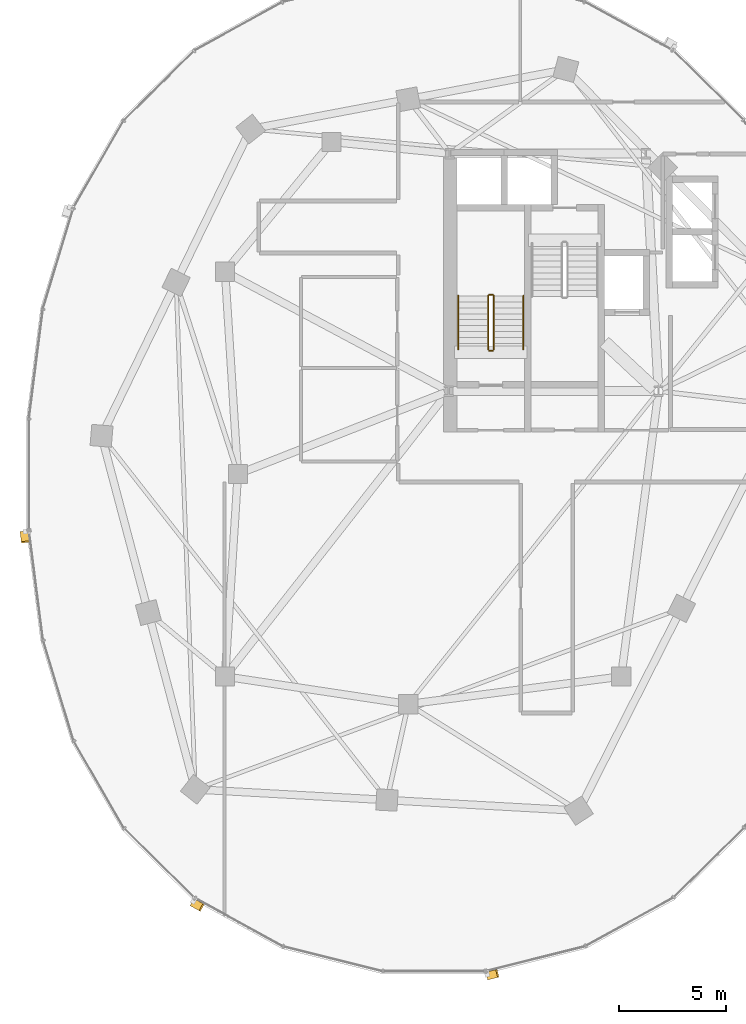
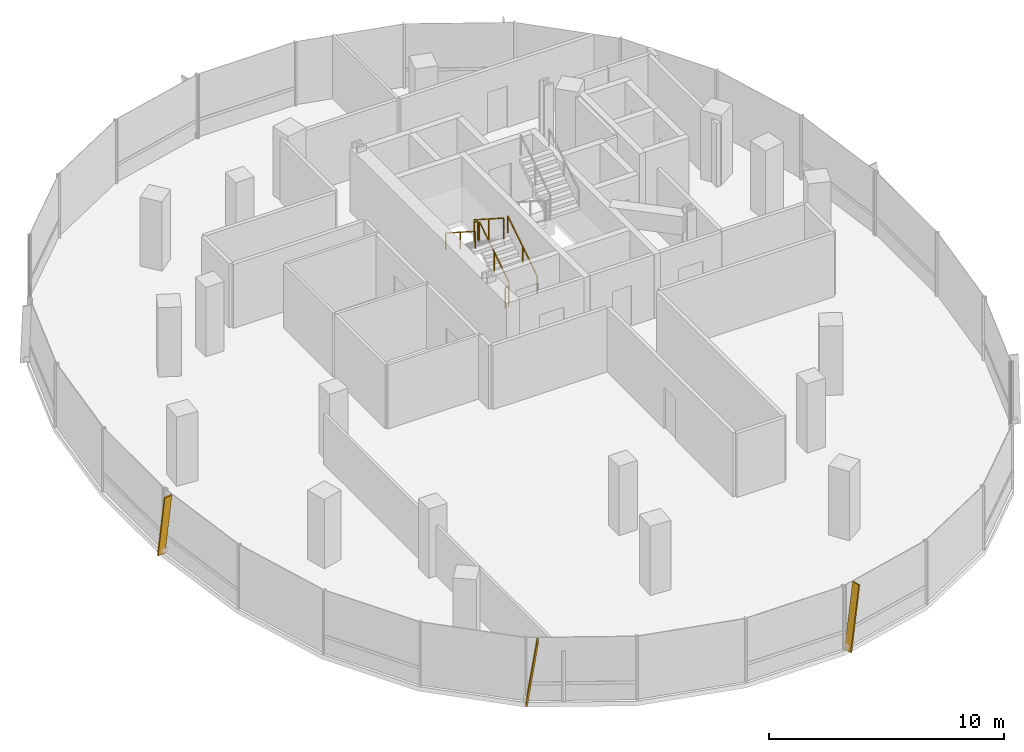
# One storey, part 17 of 21: 6 railings, 3 shading devices.
"""IFC4 building model written with IfcOpenShell, lengths in metres."""

from ifc_helpers import new_model, si_unit, direction, frame, origin, origin_2d, place, context, subcontext, project, spatial, rectangle, extrude, material, material_profile, profile_set, type_object, element, save


model = new_model("IFC4")

# Units and contexts
model_context = context("Model", 3, precision=1e-05, world=origin(), true_north=direction((0.0, 1.0)))
body_context = subcontext(model_context, "Body", "Model", "MODEL_VIEW")
ifc_project = project(units=[si_unit("LENGTHUNIT", "METRE"), si_unit("AREAUNIT", "SQUARE_METRE"), si_unit("VOLUMEUNIT", "CUBIC_METRE"), si_unit("PLANEANGLEUNIT", "RADIAN"), si_unit("MASSUNIT", "GRAM", prefix="KILO"), si_unit("THERMODYNAMICTEMPERATUREUNIT", "KELVIN"), si_unit("POWERUNIT", "WATT")], contexts=[model_context])

# Site, building, storey
site_placement = place(None, origin())
site = spatial("IfcSite", under=ifc_project, at=site_placement, CompositionType="ELEMENT")
building_placement = place(site_placement, origin())
building = spatial("IfcBuilding", under=site, at=building_placement, Name="Cundina Bronze Exchange", CompositionType="ELEMENT")
storey_placement = place(building_placement, frame((0.0, 0.0, 183.60009765625)))
storey = spatial("IfcBuildingStorey", under=building, at=storey_placement, Name="L48", CompositionType="ELEMENT", Elevation=183.60009765625)

# Railings
ifc_material_1 = material(Name="Steel ASTM A36 Painted", Category="steel")
railing_type_1 = type_object("IfcRailingType", Name="RLG-HND-900", PredefinedType="HANDRAIL", material=ifc_material_1)
railing_1_placement = place(storey_placement, frame((-27.7900390625, 5.85009765625, 0.179931640625)))
element("IfcRailing", 1, at=railing_1_placement, inside=storey, type_object=railing_type_1, Name="L48 ST-W1 stair handrail 1", PredefinedType="HANDRAIL", context=body_context, shape_type="SweptSolid", body=[
    extrude(rectangle(XDim=0.048095703125, YDim=0.048095703125, at=origin_2d()), frame((0.0, 0.0, 0.8759765625), z_axis=(0.0, 0.841199657755, 0.540724639528), x_axis=(-1.0, 0.0, 0.0)), (0.0, 0.0, 1.0), 2.995849609375),
    extrude(rectangle(XDim=0.0419921875, YDim=0.0419921875, at=origin_2d()), origin(), (0.0, 0.0, 1.0), 0.851806640625),
    extrude(rectangle(XDim=0.0419921875, YDim=0.0419921875, at=origin_2d()), frame((0.0, 1.260009765625, 0.81005859375)), (0.0, 0.0, 1.0), 0.851806640625),
    extrude(rectangle(XDim=0.0419921875, YDim=0.0419921875, at=origin_2d()), frame((0.0, 2.52001953125, 1.619873046875)), (0.0, 0.0, 1.0), 0.851806640625),
])
railing_2_placement = place(storey_placement, frame((-30.85009765625, 8.3701171875, 1.97998046875)))
element("IfcRailing", 2, at=railing_2_placement, inside=storey, type_object=railing_type_1, Name="L48 ST-W1 stair handrail 2", PredefinedType="HANDRAIL", context=body_context, shape_type="SweptSolid", body=[
    extrude(rectangle(XDim=0.048095703125, YDim=0.048095703125, at=origin_2d()), frame((0.0, 0.0, 0.8759765625), z_axis=(0.0, -0.841199657755, 0.540724639528), x_axis=(1.0, 0.0, 0.0)), (0.0, 0.0, 1.0), 2.995849609375),
    extrude(rectangle(XDim=0.0419921875, YDim=0.0419921875, at=origin_2d()), origin(), (0.0, 0.0, 1.0), 0.851806640625),
    extrude(rectangle(XDim=0.0419921875, YDim=0.0419921875, at=origin_2d()), frame((0.0, -1.260009765625, 0.81005859375)), (0.0, 0.0, 1.0), 0.851806640625),
    extrude(rectangle(XDim=0.0419921875, YDim=0.0419921875, at=origin_2d()), frame((0.0, -2.52001953125, 1.619873046875)), (0.0, 0.0, 1.0), 0.851806640625),
])
railing_type_2 = type_object("IfcRailingType", Name="RLG-STG-1100", PredefinedType="GUARDRAIL", material=ifc_material_1)
railing_3_placement = place(storey_placement, frame((-29.18994140625, 5.85009765625, 0.179931640625)))
element("IfcRailing", 3, at=railing_3_placement, inside=storey, type_object=railing_type_2, Name="L48 ST-W1 stair guard 1", PredefinedType="GUARDRAIL", context=body_context, shape_type="SweptSolid", body=[
    extrude(rectangle(XDim=0.048095703125, YDim=0.048095703125, at=origin_2d()), frame((0.0, 0.0, 1.076171875), z_axis=(0.0, 0.841199657755, 0.540724639528), x_axis=(-1.0, 0.0, 0.0)), (0.0, 0.0, 1.0), 2.995849609375),
    extrude(rectangle(XDim=0.0419921875, YDim=0.0419921875, at=origin_2d()), origin(), (0.0, 0.0, 1.0), 1.052001953125),
    extrude(rectangle(XDim=0.0419921875, YDim=0.0419921875, at=origin_2d()), frame((0.0, 1.260009765625, 0.81005859375)), (0.0, 0.0, 1.0), 1.052001953125),
    extrude(rectangle(XDim=0.0419921875, YDim=0.0419921875, at=origin_2d()), frame((0.0, 2.52001953125, 1.619873046875)), (0.0, 0.0, 1.0), 1.052001953125),
])
railing_4_placement = place(storey_placement, frame((-29.239990234375, 8.419921875, 1.7998046875)))
element("IfcRailing", 4, at=railing_4_placement, inside=storey, type_object=railing_type_2, Name="L48 ST-W1 stair guard 2", PredefinedType="GUARDRAIL", context=body_context, shape_type="SweptSolid", body=[
    extrude(rectangle(XDim=0.048095703125, YDim=0.048095703125, at=origin_2d()), frame((0.0, 0.0, 1.076171875), z_axis=(-1.0, 0.0, 0.0), x_axis=(0.0, -1.0, 0.0)), (0.0, 0.0, 1.0), 0.159912109375),
    extrude(rectangle(XDim=0.0419921875, YDim=0.0419921875, at=origin_2d()), origin(), (0.0, 0.0, 1.0), 1.052001953125),
    extrude(rectangle(XDim=0.0419921875, YDim=0.0419921875, at=origin_2d()), frame((-0.159912109375, 0.0, 0.0)), (0.0, 0.0, 1.0), 1.052001953125),
])
railing_5_placement = place(storey_placement, frame((-29.449951171875, 8.3701171875, 1.97998046875)))
element("IfcRailing", 5, at=railing_5_placement, inside=storey, type_object=railing_type_2, Name="L48 ST-W1 stair guard 3", PredefinedType="GUARDRAIL", context=body_context, shape_type="SweptSolid", body=[
    extrude(rectangle(XDim=0.048095703125, YDim=0.048095703125, at=origin_2d()), frame((0.0, 0.0, 1.076171875), z_axis=(0.0, -0.841199657755, 0.540724639528), x_axis=(1.0, 0.0, 0.0)), (0.0, 0.0, 1.0), 2.995849609375),
    extrude(rectangle(XDim=0.0419921875, YDim=0.0419921875, at=origin_2d()), origin(), (0.0, 0.0, 1.0), 1.052001953125),
    extrude(rectangle(XDim=0.0419921875, YDim=0.0419921875, at=origin_2d()), frame((0.0, -1.260009765625, 0.81005859375)), (0.0, 0.0, 1.0), 1.052001953125),
    extrude(rectangle(XDim=0.0419921875, YDim=0.0419921875, at=origin_2d()), frame((0.0, -2.52001953125, 1.619873046875)), (0.0, 0.0, 1.0), 1.052001953125),
])
railing_6_placement = place(storey_placement, frame((-29.239990234375, 5.800048828125, 0.0)))
element("IfcRailing", 6, at=railing_6_placement, inside=storey, type_object=railing_type_2, Name="L48 ST-W1 stair guard 4", PredefinedType="GUARDRAIL", context=body_context, shape_type="SweptSolid", body=[
    extrude(rectangle(XDim=0.048095703125, YDim=0.048095703125, at=origin_2d()), frame((0.0, 0.0, 1.076171875), z_axis=(-1.0, 0.0, 0.0), x_axis=(0.0, -1.0, 0.0)), (0.0, 0.0, 1.0), 0.159912109375),
    extrude(rectangle(XDim=0.0419921875, YDim=0.0419921875, at=origin_2d()), origin(), (0.0, 0.0, 1.0), 1.052001953125),
    extrude(rectangle(XDim=0.0419921875, YDim=0.0419921875, at=origin_2d()), frame((-0.159912109375, 0.0, 0.0)), (0.0, 0.0, 1.0), 1.052001953125),
])

# Shading devices
ifc_material_2 = material(Name="Anodised Bronze Aluminium 6063-T6", Category="aluminium")
ifc_material_profile = material_profile(ifc_material_2, rectangle(XDim=0.070068359375, YDim=0.3798828125, at=origin_2d()), Name="FIN70X380", Category="aluminium")
ifc_profile_set = profile_set([ifc_material_profile], Name="Anodised Bronze Aluminium 6063-T6")
shading_device_type = type_object("IfcShadingDeviceType", Name="SHD-FIN-BRZ380", PredefinedType="USERDEFINED", material=ifc_profile_set)
for number, where, z_axis, x_axis, name in (
    (7, (-51.23486328125, -2.705810546875, 0.02001953125), (0.018339743525, -0.143624497484, 0.989462307281), (-0.125329091025, 0.981492881519, 0.144790685025), "L48 Diagonal Bronze Solar Fin 1"),
    (8, (-43.320068359375, -20.11181640625, 0.02001953125), (0.1268316558, -0.069823699012, 0.989463684095), (-0.86679245373, 0.477188876966, 0.144781275918), "L48 Diagonal Bronze Solar Fin 5"),
    (9, (-29.48046875, -23.556396484375, 0.02001953125), (0.140457516237, 0.035132792473, 0.989463174163), (-0.959890661387, -0.240098503137, 0.14478476085), "L48 Diagonal Bronze Solar Fin 1"),
):
    element("IfcShadingDevice", number, at=place(storey_placement, frame(where, z_axis=z_axis, x_axis=x_axis)), inside=storey, type_object=shading_device_type, Name=name, ObjectType="FIN", PredefinedType="USERDEFINED", context=body_context, shape_type="SweptSolid", body=[
        extrude(rectangle(XDim=0.070068359375, YDim=0.3798828125, at=origin_2d()), origin(), (0.0, 0.0, 1.0), 3.314697265625),
    ])

save(model, "model.ifc")
